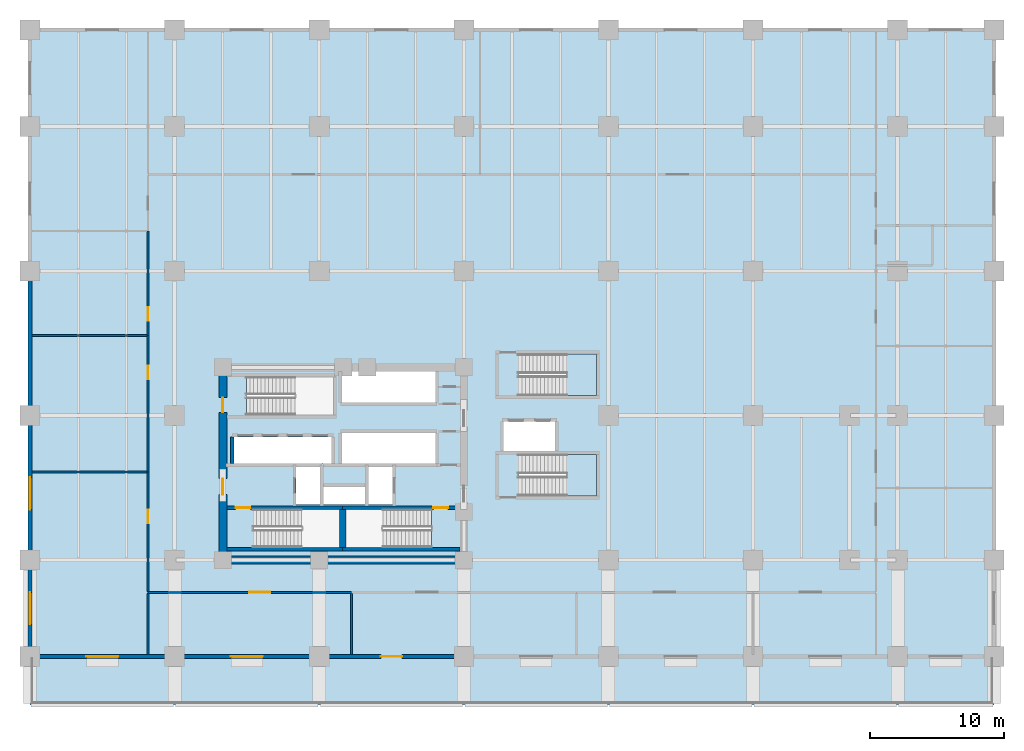
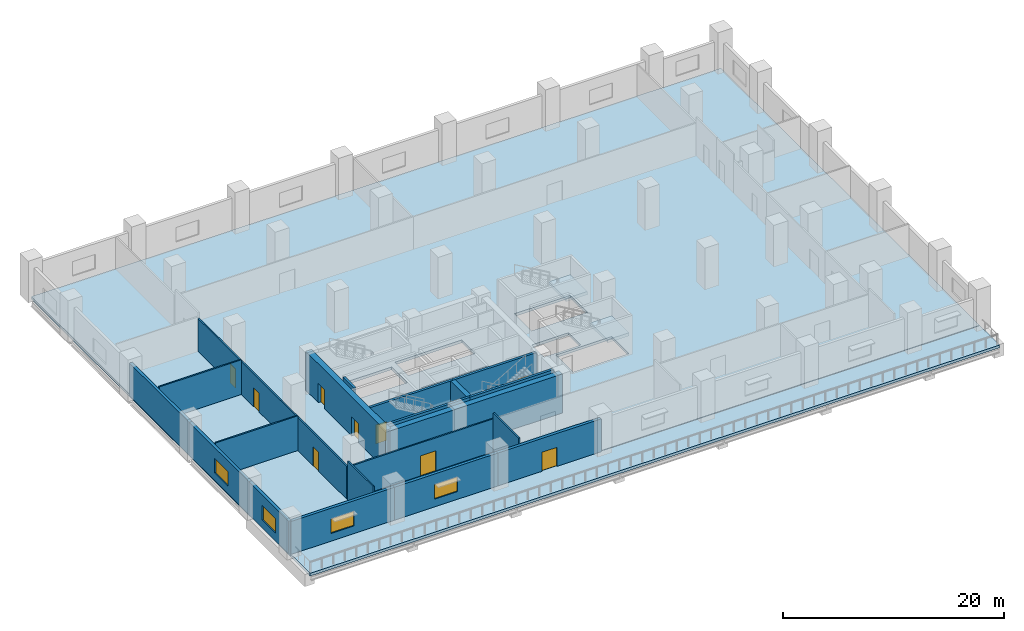
# One storey, part 3 of 11: 22 walls, 9 doors, 4 slabs, 4 windows, 13 openings, 2 elements without a shape of their own.
"""IFC4 building model written with IfcOpenShell, lengths in metres."""

from ifc_helpers import new_model, si_unit, direction, frame, frame_2d, origin, place, context, subcontext, project, spatial, polyline, rectangle, outline, extrude, material, layer, layer_set, type_object, element, fill, aggregate, save


model = new_model("IFC4")

# Units and contexts
model_context = context("Model", 3, precision=1e-05, world=origin(), true_north=direction((0.0, 1.0)))
body_context = subcontext(model_context, "Body", "Model", "MODEL_VIEW")
ifc_project = project(units=[si_unit("LENGTHUNIT", "METRE"), si_unit("AREAUNIT", "SQUARE_METRE"), si_unit("VOLUMEUNIT", "CUBIC_METRE"), si_unit("PLANEANGLEUNIT", "RADIAN"), si_unit("MASSUNIT", "GRAM", prefix="KILO")], contexts=[model_context])

# Site, building, storey
site_placement = place(None, origin())
site = spatial("IfcSite", under=ifc_project, at=site_placement, CompositionType="ELEMENT")
building_placement = place(site_placement, origin())
building = spatial("IfcBuilding", under=site, at=building_placement, Name="Solnavia Interchange Tower", CompositionType="ELEMENT")
storey_placement = place(building_placement, frame((0.0, 0.0, 14.800048828125)))
storey = spatial("IfcBuildingStorey", under=building, at=storey_placement, Name="L03", CompositionType="ELEMENT", Elevation=14.800048828125)

# Slabs
ifc_material_1 = material(Name="Concrete C40/50", Category="concrete")
ifc_layer_1 = layer(ifc_material_1, 0.300048828125)
ifc_layer_set_1 = layer_set([ifc_layer_1], Name="Concrete C40/50")
slab_type_1 = type_object("IfcSlabType", Name="Slab-Podium-300", PredefinedType="FLOOR", material=ifc_layer_set_1)
slab_1_placement = place(storey_placement, frame((0.0, 0.0, -0.300048828125)))
element("IfcSlab", 1, at=slab_1_placement, inside=storey, type_object=slab_type_1, Name="SLB-L03-01 Structural floor slab", PredefinedType="FLOOR", context=body_context, shape_type="SweptSolid", body=[
    extrude(outline(polyline([(0.0, 3.60009765625), (72.0, 3.60009765625), (72.0, 50.39990234375), (0.0, 50.39990234375), (0.0, 3.60009765625)]), holes=[polyline([(16.675048828125, 11.75), (23.10009765625, 11.75), (23.10009765625, 14.590087890625), (16.675048828125, 14.590087890625), (16.675048828125, 11.75)]), polyline([(23.60009765625, 11.75), (29.97509765625, 11.75), (29.97509765625, 14.590087890625), (23.60009765625, 14.590087890625), (23.60009765625, 11.75)]), polyline([(16.175048828125, 21.64990234375), (22.64990234375, 21.64990234375), (22.64990234375, 24.489990234375), (16.175048828125, 24.489990234375), (16.175048828125, 21.64990234375)]), polyline([(36.47509765625, 15.60009765625), (42.300048828125, 15.60009765625), (42.300048828125, 18.699951171875), (36.47509765625, 18.699951171875), (36.47509765625, 15.60009765625)]), polyline([(36.47509765625, 23.10009765625), (42.300048828125, 23.10009765625), (42.300048828125, 26.199951171875), (36.47509765625, 26.199951171875), (36.47509765625, 23.10009765625)]), polyline([(19.8798828125, 14.9599609375), (21.679931640625, 14.9599609375), (21.679931640625, 17.780029296875), (19.8798828125, 17.780029296875), (19.8798828125, 14.9599609375)]), polyline([(25.280029296875, 14.9599609375), (27.080078125, 14.9599609375), (27.080078125, 17.780029296875), (25.280029296875, 17.780029296875), (25.280029296875, 14.9599609375)]), polyline([(21.919921875, 14.9599609375), (25.02001953125, 14.9599609375), (25.02001953125, 16.280029296875), (21.919921875, 16.280029296875), (21.919921875, 14.9599609375)]), polyline([(15.219970703125, 18.02001953125), (22.52001953125, 18.02001953125), (22.52001953125, 20.0), (15.219970703125, 20.0), (15.219970703125, 18.02001953125)]), polyline([(23.300048828125, 18.02001953125), (30.280029296875, 18.02001953125), (30.280029296875, 20.300048828125), (23.300048828125, 20.300048828125), (23.300048828125, 18.02001953125)]), polyline([(23.300048828125, 22.580078125), (30.280029296875, 22.580078125), (30.280029296875, 25.0), (23.300048828125, 25.0), (23.300048828125, 22.580078125)]), polyline([(35.3798828125, 18.949951171875), (39.219970703125, 18.949951171875), (39.219970703125, 21.159912109375), (35.3798828125, 21.159912109375), (35.3798828125, 18.949951171875)])]), origin(), (0.0, 0.0, 1.0), 0.300048828125),
])
ifc_layer_2 = layer(ifc_material_1, 0.300048828125)
ifc_layer_set_2 = layer_set([ifc_layer_2], Name="Concrete C40/50")
slab_type_2 = type_object("IfcSlabType", Name="Slab-Roof-300", PredefinedType="ROOF", material=ifc_layer_set_2)
slab_2_placement = place(storey_placement, frame((0.0, 0.0, -0.300048828125)))
element("IfcSlab", 2, at=slab_2_placement, inside=storey, type_object=slab_type_2, Name="ROF-L03-01 Podium south terrace roof slab", PredefinedType="ROOF", context=body_context, shape_type="SweptSolid", body=[
    extrude(outline(polyline([(0.0, 0.0), (72.0, 0.0), (72.0, 3.56005859375), (0.0, 3.56005859375), (0.0, 0.0)])), origin(), (0.0, 0.0, 1.0), 0.300048828125),
])

# Stair, slab
stair_type = type_object("IfcStairType", Name="Stair-Dogleg-RC", PredefinedType="HALF_TURN_STAIR", material=ifc_material_1)
stair_1_placement = place(storey_placement, origin())
stair_1 = element("IfcStair", 3, at=stair_1_placement, inside=storey, type_object=stair_type, Name="L03 Podium exit stair 1", PredefinedType="HALF_TURN_STAIR")
ifc_layer_3 = layer(ifc_material_1, 0.35009765625)
ifc_layer_set_3 = layer_set([ifc_layer_3], Name="Concrete C40/50")
slab_type_3 = type_object("IfcSlabType", Name="Slab-StairLanding-350", PredefinedType="LANDING", material=ifc_layer_set_3)
slab_3_placement = place(storey_placement, frame((0.0, 0.0, 1.949951171875)))
slab_3 = element("IfcSlab", 4, at=slab_3_placement, type_object=slab_type_3, Name="ST-P1 landing 1", PredefinedType="LANDING", context=body_context, shape_type="SweptSolid", body=[
    extrude(outline(polyline([(40.068115234375, 15.60009765625), (42.300048828125, 15.60009765625), (42.300048828125, 18.699951171875), (40.068115234375, 18.699951171875), (40.068115234375, 15.60009765625)])), origin(), (0.0, 0.0, 1.0), 0.35009765625),
])
aggregate(stair_1, [slab_3])

stair_2_placement = place(storey_placement, origin())
stair_2 = element("IfcStair", 5, at=stair_2_placement, inside=storey, type_object=stair_type, Name="L03 Podium exit stair 2", PredefinedType="HALF_TURN_STAIR")
slab_4_placement = place(storey_placement, frame((0.0, 0.0, 1.949951171875)))
slab_4 = element("IfcSlab", 6, at=slab_4_placement, type_object=slab_type_3, Name="ST-P2 landing 1", PredefinedType="LANDING", context=body_context, shape_type="SweptSolid", body=[
    extrude(outline(polyline([(40.068115234375, 23.10009765625), (42.300048828125, 23.10009765625), (42.300048828125, 26.199951171875), (40.068115234375, 26.199951171875), (40.068115234375, 23.10009765625)])), origin(), (0.0, 0.0, 1.0), 0.35009765625),
])
aggregate(stair_2, [slab_4])

# Wall, opening, window
ifc_layer_4 = layer(ifc_material_1, 0.300048828125)
ifc_layer_set_4 = layer_set([ifc_layer_4], Name="Concrete C40/50")
wall_type_1 = type_object("IfcWallType", Name="Wall-ExtSpandrel-300", PredefinedType="STANDARD", material=ifc_layer_set_4)
wall_1_placement = place(storey_placement, frame((10.800048828125, 3.60009765625, 0.0), z_axis=(0.0, 0.0, 1.0), x_axis=(-1.0, 0.0, 0.0)))
wall_1 = element("IfcWall", 7, at=wall_1_placement, inside=storey, type_object=wall_type_1, Name="EXW-L03-S01 South podium wall", PredefinedType="STANDARD", context=body_context, shape_type="SweptSolid", body=[
    extrude(rectangle(XDim=10.800048828125, YDim=0.300048828125, at=frame_2d((5.39990234375, 0.0))), origin(), (0.0, 0.0, 1.0), 3.6298828125),
])
opening_1_placement = place(wall_1_placement, frame((4.199951171875, 0.0, 0.85009765625)))
opening_1 = element("IfcOpeningElement", 8, at=opening_1_placement, cuts=wall_1, Name="Opening WIN-06", PredefinedType="OPENING", context=body_context, shape_type="SweptSolid", body=[
    extrude(rectangle(XDim=2.39990234375, YDim=1.60009765625, at=frame_2d((1.199951171875, 0.800048828125))), frame((0.0, 0.16015625, 0.0), z_axis=(0.0, -1.0, 0.0), x_axis=(1.0, 0.0, 0.0)), (0.0, 0.0, 1.0), 0.320068359375),
])
ifc_material_2 = material(Name="Thermal-Break Aluminium & Low-E Glass", Category="aluminium")
window_type = type_object("IfcWindowType", Name="Window-Podium-2400x1600", PartitioningType="SINGLE_PANEL", PredefinedType="WINDOW", material=ifc_material_2)
window_1_placement = place(opening_1_placement, origin())
window_1 = element("IfcWindow", 9, at=window_1_placement, inside=storey, type_object=window_type, Name="WIN-L03-S01 South podium window", OverallHeight=1.60009765625, OverallWidth=2.39990234375, PartitioningType="SINGLE_PANEL", PredefinedType="WINDOW", context=body_context, shape_type="SweptSolid", body=[
    extrude(rectangle(XDim=2.39990234375, YDim=1.60009765625, at=frame_2d((1.199951171875, 0.800048828125))), frame((0.0, 0.030029296875, 0.0), z_axis=(0.0, -1.0, 0.0), x_axis=(1.0, 0.0, 0.0)), (0.0, 0.0, 1.0), 0.06005859375),
])
fill(opening_1, window_1)

wall_2_placement = place(storey_placement, frame((21.60009765625, 3.60009765625, 0.0), z_axis=(0.0, 0.0, 1.0), x_axis=(-1.0, 0.0, 0.0)))
wall_2 = element("IfcWall", 10, at=wall_2_placement, inside=storey, type_object=wall_type_1, Name="EXW-L03-S02 South podium wall", PredefinedType="STANDARD", context=body_context, shape_type="SweptSolid", body=[
    extrude(rectangle(XDim=10.800048828125, YDim=0.300048828125, at=frame_2d((5.39990234375, 0.0))), origin(), (0.0, 0.0, 1.0), 3.6298828125),
])
opening_2_placement = place(wall_2_placement, frame((4.199951171875, 0.0, 0.85009765625)))
opening_2 = element("IfcOpeningElement", 11, at=opening_2_placement, cuts=wall_2, Name="Opening WIN-06", PredefinedType="OPENING", context=body_context, shape_type="SweptSolid", body=[
    extrude(rectangle(XDim=2.39990234375, YDim=1.60009765625, at=frame_2d((1.199951171875, 0.800048828125))), frame((0.0, 0.16015625, 0.0), z_axis=(0.0, -1.0, 0.0), x_axis=(1.0, 0.0, 0.0)), (0.0, 0.0, 1.0), 0.320068359375),
])
window_2_placement = place(opening_2_placement, origin())
window_2 = element("IfcWindow", 12, at=window_2_placement, inside=storey, type_object=window_type, Name="WIN-L03-S02 South podium window", OverallHeight=1.60009765625, OverallWidth=2.39990234375, PartitioningType="SINGLE_PANEL", PredefinedType="WINDOW", context=body_context, shape_type="SweptSolid", body=[
    extrude(rectangle(XDim=2.39990234375, YDim=1.60009765625, at=frame_2d((1.199951171875, 0.800048828125))), frame((0.0, 0.030029296875, 0.0), z_axis=(0.0, -1.0, 0.0), x_axis=(1.0, 0.0, 0.0)), (0.0, 0.0, 1.0), 0.06005859375),
])
fill(opening_2, window_2)

# Wall, opening, door
wall_3_placement = place(storey_placement, frame((32.39990234375, 3.60009765625, 0.0), z_axis=(0.0, 0.0, 1.0), x_axis=(-1.0, 0.0, 0.0)))
wall_3 = element("IfcWall", 13, at=wall_3_placement, inside=storey, type_object=wall_type_1, Name="EXW-L03-S03 South podium wall", PredefinedType="STANDARD", context=body_context, shape_type="SweptSolid", body=[
    extrude(rectangle(XDim=10.7998046875, YDim=0.300048828125, at=frame_2d((5.39990234375, 0.0))), origin(), (0.0, 0.0, 1.0), 3.6298828125),
])
opening_3_placement = place(wall_3_placement, frame((4.60009765625, 0.0, 0.0)))
opening_3 = element("IfcOpeningElement", 14, at=opening_3_placement, cuts=wall_3, Name="Opening EXD-04", PredefinedType="OPENING", context=body_context, shape_type="SweptSolid", body=[
    extrude(rectangle(XDim=1.60009765625, YDim=2.10009765625, at=frame_2d((0.800048828125, 1.050048828125))), frame((0.0, 0.16015625, 0.0), z_axis=(0.0, -1.0, 0.0), x_axis=(1.0, 0.0, 0.0)), (0.0, 0.0, 1.0), 0.320068359375),
])
ifc_material_3 = material(Name="Thermally Broken Aluminium & Laminated Glass", Category="aluminium")
door_type_1 = type_object("IfcDoorType", Name="Door-TerraceGlazed-1600x2100", OperationType="DOUBLE_DOOR_SINGLE_SWING", PredefinedType="DOOR", material=ifc_material_3)
door_1_placement = place(opening_3_placement, origin())
door_1 = element("IfcDoor", 15, at=door_1_placement, inside=storey, type_object=door_type_1, Name="EXD-L03-TER1 South podium terrace door", OperationType="SINGLE_SWING_LEFT", OverallHeight=2.10009765625, OverallWidth=1.60009765625, PredefinedType="DOOR", context=body_context, shape_type="SweptSolid", body=[
    extrude(rectangle(XDim=1.60009765625, YDim=2.10009765625, at=frame_2d((0.800048828125, 1.050048828125))), frame((0.0, 0.02490234375, 0.0), z_axis=(0.0, -1.0, 0.0), x_axis=(1.0, 0.0, 0.0)), (0.0, 0.0, 1.0), 0.050048828125),
])
fill(opening_3, door_1)

# Wall, opening, window
wall_4_placement = place(storey_placement, frame((0.0, 3.60009765625, 0.0), z_axis=(0.0, 0.0, 1.0), x_axis=(0.0, 1.0, 0.0)))
wall_4 = element("IfcWall", 16, at=wall_4_placement, inside=storey, type_object=wall_type_1, Name="EXW-L03-W01 West podium wall", PredefinedType="STANDARD", context=body_context, shape_type="SweptSolid", body=[
    extrude(rectangle(XDim=7.199951171875, YDim=0.300048828125, at=frame_2d((3.60009765625, 0.0))), origin(), (0.0, 0.0, 1.0), 3.6298828125),
])
opening_4_placement = place(wall_4_placement, frame((2.39990234375, 0.0, 0.85009765625)))
opening_4 = element("IfcOpeningElement", 17, at=opening_4_placement, cuts=wall_4, Name="Opening WIN-06", PredefinedType="OPENING", context=body_context, shape_type="SweptSolid", body=[
    extrude(rectangle(XDim=2.39990234375, YDim=1.60009765625, at=frame_2d((1.199951171875, 0.800048828125))), frame((0.0, 0.16015625, 0.0), z_axis=(0.0, -1.0, 0.0), x_axis=(1.0, 0.0, 0.0)), (0.0, 0.0, 1.0), 0.320068359375),
])
window_3_placement = place(opening_4_placement, origin())
window_3 = element("IfcWindow", 18, at=window_3_placement, inside=storey, type_object=window_type, Name="WIN-L03-W01 West podium window", OverallHeight=1.60009765625, OverallWidth=2.39990234375, PartitioningType="SINGLE_PANEL", PredefinedType="WINDOW", context=body_context, shape_type="SweptSolid", body=[
    extrude(rectangle(XDim=2.39990234375, YDim=1.60009765625, at=frame_2d((1.199951171875, 0.800048828125))), frame((0.0, 0.030029296875, 0.0), z_axis=(0.0, -1.0, 0.0), x_axis=(1.0, 0.0, 0.0)), (0.0, 0.0, 1.0), 0.06005859375),
])
fill(opening_4, window_3)

wall_5_placement = place(storey_placement, frame((0.0, 10.800048828125, 0.0), z_axis=(0.0, 0.0, 1.0), x_axis=(0.0, 1.0, 0.0)))
wall_5 = element("IfcWall", 19, at=wall_5_placement, inside=storey, type_object=wall_type_1, Name="EXW-L03-W02 West podium wall", PredefinedType="STANDARD", context=body_context, shape_type="SweptSolid", body=[
    extrude(rectangle(XDim=10.800048828125, YDim=0.300048828125, at=frame_2d((5.39990234375, 0.0))), origin(), (0.0, 0.0, 1.0), 3.6298828125),
])
opening_5_placement = place(wall_5_placement, frame((3.780029296875, 0.0, 0.85009765625)))
opening_5 = element("IfcOpeningElement", 20, at=opening_5_placement, cuts=wall_5, Name="Opening WIN-06", PredefinedType="OPENING", context=body_context, shape_type="SweptSolid", body=[
    extrude(rectangle(XDim=2.39990234375, YDim=1.60009765625, at=frame_2d((1.199951171875, 0.800048828125))), frame((0.0, 0.16015625, 0.0), z_axis=(0.0, -1.0, 0.0), x_axis=(1.0, 0.0, 0.0)), (0.0, 0.0, 1.0), 0.320068359375),
])
window_4_placement = place(opening_5_placement, origin())
window_4 = element("IfcWindow", 21, at=window_4_placement, inside=storey, type_object=window_type, Name="WIN-L03-W02 West podium window", OverallHeight=1.60009765625, OverallWidth=2.39990234375, PartitioningType="SINGLE_PANEL", PredefinedType="WINDOW", context=body_context, shape_type="SweptSolid", body=[
    extrude(rectangle(XDim=2.39990234375, YDim=1.60009765625, at=frame_2d((1.199951171875, 0.800048828125))), frame((0.0, 0.030029296875, 0.0), z_axis=(0.0, -1.0, 0.0), x_axis=(1.0, 0.0, 0.0)), (0.0, 0.0, 1.0), 0.06005859375),
])
fill(opening_5, window_4)

# Wall
wall_6_placement = place(storey_placement, frame((0.0, 21.60009765625, 0.0), z_axis=(0.0, 0.0, 1.0), x_axis=(0.0, 1.0, 0.0)))
element("IfcWall", 22, at=wall_6_placement, inside=storey, type_object=wall_type_1, Name="EXW-L03-W03 West podium wall", PredefinedType="STANDARD", context=body_context, shape_type="SweptSolid", body=[
    extrude(rectangle(XDim=10.7998046875, YDim=0.300048828125, at=frame_2d((5.39990234375, 0.0))), origin(), (0.0, 0.0, 1.0), 3.6298828125),
])

# Wall, opening, door
ifc_material_4 = material(Name="Gypsum Plasterboard & Steel Stud", Category="steel")
ifc_layer_5 = layer(ifc_material_4, 0.14990234375)
ifc_layer_set_5 = layer_set([ifc_layer_5], Name="Gypsum Plasterboard & Steel Stud")
wall_type_2 = type_object("IfcWallType", Name="Wall-Partition-150", PredefinedType="PARTITIONING", material=ifc_layer_set_5)
wall_7_placement = place(storey_placement, frame((8.800048828125, 8.39990234375, 0.0), z_axis=(0.0, 0.0, 1.0), x_axis=(1.0, 0.0, 0.0)))
wall_7 = element("IfcWall", 23, at=wall_7_placement, inside=storey, type_object=wall_type_2, Name="PTW-L03-01 Interior partition wall", PredefinedType="PARTITIONING", context=body_context, shape_type="SweptSolid", body=[
    extrude(rectangle(XDim=15.199951171875, YDim=0.14990234375, at=frame_2d((7.60009765625, 0.0))), origin(), (0.0, 0.0, 1.0), 3.6298828125),
])
opening_6_placement = place(wall_7_placement, frame((7.55810546875, 0.0, 0.0)))
opening_6 = element("IfcOpeningElement", 24, at=opening_6_placement, cuts=wall_7, Name="Opening DR-08", PredefinedType="OPENING", context=body_context, shape_type="SweptSolid", body=[
    extrude(rectangle(XDim=1.60009765625, YDim=2.199951171875, at=frame_2d((0.800048828125, 1.10009765625))), frame((0.0, 0.0849609375, 0.0), z_axis=(0.0, -1.0, 0.0), x_axis=(1.0, 0.0, 0.0)), (0.0, 0.0, 1.0), 0.169921875),
])
ifc_material_5 = material(Name="Thermally Broken Aluminium & Toughened Glass", Category="aluminium")
door_type_2 = type_object("IfcDoorType", Name="Door-RetailDouble-1600x2200", OperationType="DOUBLE_DOOR_SINGLE_SWING", PredefinedType="DOOR", material=ifc_material_5)
door_2_placement = place(opening_6_placement, origin())
door_2 = element("IfcDoor", 25, at=door_2_placement, inside=storey, type_object=door_type_2, Name="DR-L03-01 Interior room door", OperationType="DOUBLE_DOOR_SINGLE_SWING", OverallHeight=2.199951171875, OverallWidth=1.60009765625, PredefinedType="DOOR", context=body_context, shape_type="SweptSolid", body=[
    extrude(rectangle(XDim=1.60009765625, YDim=2.199951171875, at=frame_2d((0.800048828125, 1.10009765625))), frame((0.0, 0.02490234375, 0.0), z_axis=(0.0, -1.0, 0.0), x_axis=(1.0, 0.0, 0.0)), (0.0, 0.0, 1.0), 0.050048828125),
])
fill(opening_6, door_2)

# Walls
for number, where, z_axis, x_axis, name in (
    (26, (24.0, 3.75390625, 0.0), (0.0, 0.0, 1.0), (0.0, 1.0, 0.0), "PTW-L03-02 Interior partition wall"),
    (27, (8.800048828125, 3.75390625, 0.0), (0.0, 0.0, 1.0), (0.0, 1.0, 0.0), "PTW-L03-11 Interior partition wall"),
):
    element("IfcWall", number, at=place(storey_placement, frame(where, z_axis=z_axis, x_axis=x_axis)), inside=storey, type_object=wall_type_2, Name=name, PredefinedType="PARTITIONING", context=body_context, shape_type="SweptSolid", body=[
        extrude(rectangle(XDim=4.567138671875, YDim=0.14990234375, at=frame_2d((2.28369140625, 0.0))), origin(), (0.0, 0.0, 1.0), 4.284912109375),
    ])

# Wall, opening, door
wall_8_placement = place(storey_placement, frame((8.800048828125, 8.47900390625, 0.0), z_axis=(0.0, 0.0, 1.0), x_axis=(0.0, 1.0, 0.0)))
wall_8 = element("IfcWall", 28, at=wall_8_placement, inside=storey, type_object=wall_type_2, Name="PTW-L03-12 Interior partition wall", PredefinedType="PARTITIONING", context=body_context, shape_type="SweptSolid", body=[
    extrude(rectangle(XDim=8.9208984375, YDim=0.14990234375, at=frame_2d((4.46044921875, 0.0))), origin(), (0.0, 0.0, 1.0), 3.6298828125),
])
opening_7_placement = place(wall_8_placement, frame((5.074951171875, 0.0, 0.0)))
opening_7 = element("IfcOpeningElement", 29, at=opening_7_placement, cuts=wall_8, Name="Opening DR-07", PredefinedType="OPENING", context=body_context, shape_type="SweptSolid", body=[
    extrude(rectangle(XDim=1.0, YDim=2.10009765625, at=frame_2d((0.5, 1.050048828125))), frame((0.0, 0.0849609375, 0.0), z_axis=(0.0, -1.0, 0.0), x_axis=(1.0, 0.0, 0.0)), (0.0, 0.0, 1.0), 0.169921875),
])
ifc_material_6 = material(Name="Timber & Acoustic Glazed Office Door", Category="wood")
door_type_3 = type_object("IfcDoorType", Name="Door-Office-1000x2100", OperationType="SINGLE_SWING_RIGHT", PredefinedType="DOOR", material=ifc_material_6)
door_3_placement = place(opening_7_placement, origin())
door_3 = element("IfcDoor", 30, at=door_3_placement, inside=storey, type_object=door_type_3, Name="DR-L03-07 Interior room door", OperationType="SINGLE_SWING_RIGHT", OverallHeight=2.10009765625, OverallWidth=1.0, PredefinedType="DOOR", context=body_context, shape_type="SweptSolid", body=[
    extrude(rectangle(XDim=1.0, YDim=2.10009765625, at=frame_2d((0.5, 1.050048828125))), frame((0.0, 0.02490234375, 0.0), z_axis=(0.0, -1.0, 0.0), x_axis=(1.0, 0.0, 0.0)), (0.0, 0.0, 1.0), 0.050048828125),
])
fill(opening_7, door_3)

# Wall
wall_9_placement = place(storey_placement, frame((0.154052734375, 17.39990234375, 0.0), z_axis=(0.0, 0.0, 1.0), x_axis=(1.0, 0.0, 0.0)))
element("IfcWall", 31, at=wall_9_placement, inside=storey, type_object=wall_type_2, Name="PTW-L03-13 Interior partition wall", PredefinedType="PARTITIONING", context=body_context, shape_type="SweptSolid", body=[
    extrude(rectangle(XDim=8.56689453125, YDim=0.14990234375, at=frame_2d((4.283447265625, 0.0))), origin(), (0.0, 0.0, 1.0), 3.829833984375),
])

# Wall, opening, door
wall_10_placement = place(storey_placement, frame((8.800048828125, 17.39990234375, 0.0), z_axis=(0.0, 0.0, 1.0), x_axis=(0.0, 1.0, 0.0)))
wall_10 = element("IfcWall", 32, at=wall_10_placement, inside=storey, type_object=wall_type_2, Name="PTW-L03-14 Interior partition wall", PredefinedType="PARTITIONING", context=body_context, shape_type="SweptSolid", body=[
    extrude(rectangle(XDim=10.2001953125, YDim=0.14990234375, at=frame_2d((5.10009765625, 0.0))), origin(), (0.0, 0.0, 1.0), 3.6298828125),
])
opening_8_placement = place(wall_10_placement, frame((6.908935546875, 0.0, 0.0)))
opening_8 = element("IfcOpeningElement", 33, at=opening_8_placement, cuts=wall_10, Name="Opening DR-07", PredefinedType="OPENING", context=body_context, shape_type="SweptSolid", body=[
    extrude(rectangle(XDim=1.0, YDim=2.10009765625, at=frame_2d((0.5, 1.050048828125))), frame((0.0, 0.0849609375, 0.0), z_axis=(0.0, -1.0, 0.0), x_axis=(1.0, 0.0, 0.0)), (0.0, 0.0, 1.0), 0.169921875),
])
door_4_placement = place(opening_8_placement, origin())
door_4 = element("IfcDoor", 34, at=door_4_placement, inside=storey, type_object=door_type_3, Name="DR-L03-08 Interior room door", OperationType="SINGLE_SWING_RIGHT", OverallHeight=2.10009765625, OverallWidth=1.0, PredefinedType="DOOR", context=body_context, shape_type="SweptSolid", body=[
    extrude(rectangle(XDim=1.0, YDim=2.10009765625, at=frame_2d((0.5, 1.050048828125))), frame((0.0, 0.02490234375, 0.0), z_axis=(0.0, -1.0, 0.0), x_axis=(1.0, 0.0, 0.0)), (0.0, 0.0, 1.0), 0.050048828125),
])
fill(opening_8, door_4)

# Wall
wall_11_placement = place(storey_placement, frame((0.154052734375, 27.60009765625, 0.0), z_axis=(0.0, 0.0, 1.0), x_axis=(1.0, 0.0, 0.0)))
element("IfcWall", 35, at=wall_11_placement, inside=storey, type_object=wall_type_2, Name="PTW-L03-15 Interior partition wall", PredefinedType="PARTITIONING", context=body_context, shape_type="SweptSolid", body=[
    extrude(rectangle(XDim=8.56689453125, YDim=0.14990234375, at=frame_2d((4.283447265625, 0.0))), origin(), (0.0, 0.0, 1.0), 3.829833984375),
])

# Wall, opening, door
wall_12_placement = place(storey_placement, frame((8.800048828125, 27.60009765625, 0.0), z_axis=(0.0, 0.0, 1.0), x_axis=(0.0, 1.0, 0.0)))
wall_12 = element("IfcWall", 36, at=wall_12_placement, inside=storey, type_object=wall_type_2, Name="PTW-L03-16 Interior partition wall", PredefinedType="PARTITIONING", context=body_context, shape_type="SweptSolid", body=[
    extrude(rectangle(XDim=7.7998046875, YDim=0.14990234375, at=frame_2d((3.89990234375, 0.0))), origin(), (0.0, 0.0, 1.0), 3.6298828125),
])
opening_9_placement = place(wall_12_placement, frame((1.094970703125, 0.0, 0.0)))
opening_9 = element("IfcOpeningElement", 37, at=opening_9_placement, cuts=wall_12, Name="Opening DR-07", PredefinedType="OPENING", context=body_context, shape_type="SweptSolid", body=[
    extrude(rectangle(XDim=1.0, YDim=2.10009765625, at=frame_2d((0.5, 1.050048828125))), frame((0.0, 0.0849609375, 0.0), z_axis=(0.0, -1.0, 0.0), x_axis=(1.0, 0.0, 0.0)), (0.0, 0.0, 1.0), 0.169921875),
])
door_5_placement = place(opening_9_placement, origin())
door_5 = element("IfcDoor", 38, at=door_5_placement, inside=storey, type_object=door_type_3, Name="DR-L03-09 Interior room door", OperationType="SINGLE_SWING_RIGHT", OverallHeight=2.10009765625, OverallWidth=1.0, PredefinedType="DOOR", context=body_context, shape_type="SweptSolid", body=[
    extrude(rectangle(XDim=1.0, YDim=2.10009765625, at=frame_2d((0.5, 1.050048828125))), frame((0.0, 0.02490234375, 0.0), z_axis=(0.0, -1.0, 0.0), x_axis=(1.0, 0.0, 0.0)), (0.0, 0.0, 1.0), 0.050048828125),
])
fill(opening_9, door_5)

# Wall
ifc_layer_6 = layer(ifc_material_1, 0.25)
ifc_layer_set_6 = layer_set([ifc_layer_6], Name="Concrete C40/50")
wall_type_3 = type_object("IfcWallType", Name="Wall-ShaftCore-250", PredefinedType="SHEAR", material=ifc_layer_set_6)
wall_13_placement = place(storey_placement, frame((14.699951171875, 11.625, 0.0), z_axis=(0.0, 0.0, 1.0), x_axis=(1.0, 0.0, 0.0)))
element("IfcWall", 39, at=wall_13_placement, inside=storey, type_object=wall_type_3, Name="SHW-L03-ST1S Core shear wall", PredefinedType="SHEAR", context=body_context, shape_type="SweptSolid", body=[
    extrude(rectangle(XDim=8.650146484375, YDim=0.25, at=frame_2d((4.3251953125, 0.0))), origin(), (0.0, 0.0, 1.0), 4.300048828125),
])

# Wall, opening, door
wall_14_placement = place(storey_placement, frame((14.699951171875, 14.715087890625, 0.0), z_axis=(0.0, 0.0, 1.0), x_axis=(1.0, 0.0, 0.0)))
wall_14 = element("IfcWall", 40, at=wall_14_placement, inside=storey, type_object=wall_type_3, Name="SHW-L03-ST1N Core shear wall", PredefinedType="SHEAR", context=body_context, shape_type="SweptSolid", body=[
    extrude(rectangle(XDim=8.650146484375, YDim=0.25, at=frame_2d((4.3251953125, 0.0))), origin(), (0.0, 0.0, 1.0), 4.300048828125),
])
opening_10_placement = place(wall_14_placement, frame((0.655029296875, 0.0, 0.0)))
opening_10 = element("IfcOpeningElement", 41, at=opening_10_placement, cuts=wall_14, Name="Opening DR-01", PredefinedType="OPENING", context=body_context, shape_type="SweptSolid", body=[
    extrude(rectangle(XDim=1.10009765625, YDim=2.10009765625, at=frame_2d((0.550048828125, 1.050048828125))), frame((0.0, 0.135009765625, 0.0), z_axis=(0.0, -1.0, 0.0), x_axis=(1.0, 0.0, 0.0)), (0.0, 0.0, 1.0), 0.27001953125),
])
ifc_material_7 = material(Name="Steel Fire-Rated Leaf & Frame", Category="steel")
door_type_4 = type_object("IfcDoorType", Name="Door-StairFire-1100x2100", OperationType="SINGLE_SWING_LEFT", PredefinedType="DOOR", material=ifc_material_7)
door_6_placement = place(opening_10_placement, origin())
door_6 = element("IfcDoor", 42, at=door_6_placement, inside=storey, type_object=door_type_4, Name="DR-L03-ST1 Core fire door", OperationType="SINGLE_SWING_LEFT", OverallHeight=2.10009765625, OverallWidth=1.10009765625, PredefinedType="DOOR", context=body_context, shape_type="SweptSolid", body=[
    extrude(rectangle(XDim=1.10009765625, YDim=2.10009765625, at=frame_2d((0.550048828125, 1.050048828125))), frame((0.0, 0.02490234375, 0.0), z_axis=(0.0, -1.0, 0.0), x_axis=(1.0, 0.0, 0.0)), (0.0, 0.0, 1.0), 0.050048828125),
])
fill(opening_10, door_6)

# Wall
wall_15_placement = place(storey_placement, frame((23.35009765625, 11.625, 0.0), z_axis=(0.0, 0.0, 1.0), x_axis=(1.0, 0.0, 0.0)))
element("IfcWall", 43, at=wall_15_placement, inside=storey, type_object=wall_type_3, Name="SHW-L03-ST2S Core shear wall", PredefinedType="SHEAR", context=body_context, shape_type="SweptSolid", body=[
    extrude(rectangle(XDim=8.75, YDim=0.25, at=frame_2d((4.375, 0.0))), origin(), (0.0, 0.0, 1.0), 4.300048828125),
])

# Wall, opening, door
wall_16_placement = place(storey_placement, frame((23.35009765625, 14.715087890625, 0.0), z_axis=(0.0, 0.0, 1.0), x_axis=(1.0, 0.0, 0.0)))
wall_16 = element("IfcWall", 44, at=wall_16_placement, inside=storey, type_object=wall_type_3, Name="SHW-L03-ST2N Core shear wall", PredefinedType="SHEAR", context=body_context, shape_type="SweptSolid", body=[
    extrude(rectangle(XDim=8.75, YDim=0.25, at=frame_2d((4.375, 0.0))), origin(), (0.0, 0.0, 1.0), 4.300048828125),
])
opening_11_placement = place(wall_16_placement, frame((6.77490234375, 0.0, 0.0)))
opening_11 = element("IfcOpeningElement", 45, at=opening_11_placement, cuts=wall_16, Name="Opening DR-01", PredefinedType="OPENING", context=body_context, shape_type="SweptSolid", body=[
    extrude(rectangle(XDim=1.10009765625, YDim=2.10009765625, at=frame_2d((0.550048828125, 1.050048828125))), frame((0.0, 0.135009765625, 0.0), z_axis=(0.0, -1.0, 0.0), x_axis=(1.0, 0.0, 0.0)), (0.0, 0.0, 1.0), 0.27001953125),
])
door_7_placement = place(opening_11_placement, origin())
door_7 = element("IfcDoor", 46, at=door_7_placement, inside=storey, type_object=door_type_4, Name="DR-L03-ST2 Core fire door", OperationType="SINGLE_SWING_LEFT", OverallHeight=2.10009765625, OverallWidth=1.10009765625, PredefinedType="DOOR", context=body_context, shape_type="SweptSolid", body=[
    extrude(rectangle(XDim=1.10009765625, YDim=2.10009765625, at=frame_2d((0.550048828125, 1.050048828125))), frame((0.0, 0.02490234375, 0.0), z_axis=(0.0, -1.0, 0.0), x_axis=(1.0, 0.0, 0.0)), (0.0, 0.0, 1.0), 0.050048828125),
])
fill(opening_11, door_7)

# Walls
ifc_layer_7 = layer(ifc_material_1, 0.25)
ifc_layer_set_7 = layer_set([ifc_layer_7], Name="Concrete C40/50")
wall_type_4 = type_object("IfcWallType", Name="Wall-ShaftPart-250", PredefinedType="PARTITIONING", material=ifc_layer_set_7)
wall_17_placement = place(storey_placement, frame((15.10009765625, 18.02490234375, 0.0), z_axis=(0.0, 0.0, 1.0), x_axis=(0.0, 1.0, 0.0)))
element("IfcWall", 47, at=wall_17_placement, inside=storey, type_object=wall_type_4, Name="SHW-L03-B1W Core shaft wall", PredefinedType="PARTITIONING", context=body_context, shape_type="SweptSolid", body=[
    extrude(rectangle(XDim=1.97509765625, YDim=0.25, at=frame_2d((0.987548828125, 0.0))), origin(), (0.0, 0.0, 1.0), 4.284912109375),
])
ifc_material_8 = material(Name="Concrete C60/75", Category="concrete")
ifc_layer_8 = layer(ifc_material_8, 0.5)
ifc_layer_set_8 = layer_set([ifc_layer_8], Name="Concrete C60/75")
wall_type_5 = type_object("IfcWallType", Name="Wall-ShearCore-500", PredefinedType="SHEAR", material=ifc_layer_set_8)
wall_18_placement = place(storey_placement, frame((23.35009765625, 11.75, 0.0), z_axis=(0.0, 0.0, 1.0), x_axis=(0.0, 1.0, 0.0)))
element("IfcWall", 48, at=wall_18_placement, inside=storey, type_object=wall_type_5, Name="SHW-L03-ST12M Core shear wall", PredefinedType="SHEAR", context=body_context, shape_type="SweptSolid", body=[
    extrude(rectangle(XDim=2.840087890625, YDim=0.5, at=frame_2d((1.419921875, 0.0))), origin(), (0.0, 0.0, 1.0), 4.300048828125),
])
ifc_layer_9 = layer(ifc_material_8, 0.60009765625)
ifc_layer_set_9 = layer_set([ifc_layer_9], Name="Concrete C60/75")
wall_type_6 = type_object("IfcWallType", Name="Wall-ShearCore-600", PredefinedType="SHEAR", material=ifc_layer_set_9)
wall_19_placement = place(storey_placement, frame((14.39990234375, 10.800048828125, 0.0), z_axis=(0.0, 0.0, 1.0), x_axis=(1.0, 0.0, 0.0)))
element("IfcWall", 49, at=wall_19_placement, inside=storey, type_object=wall_type_6, Name="CRW-L03-S Core shear wall", PredefinedType="SHEAR", context=body_context, shape_type="SweptSolid", body=[
    extrude(rectangle(XDim=18.0, YDim=0.60009765625, at=frame_2d((9.0, 0.0))), origin(), (0.0, 0.0, 1.0), 4.300048828125),
])

# Wall, openings, doors
wall_20_placement = place(storey_placement, frame((14.39990234375, 10.800048828125, 0.0), z_axis=(0.0, 0.0, 1.0), x_axis=(0.0, 1.0, 0.0)))
wall_20 = element("IfcWall", 50, at=wall_20_placement, inside=storey, type_object=wall_type_6, Name="CRW-L03-W Core shear wall", PredefinedType="SHEAR", context=body_context, shape_type="SweptSolid", body=[
    extrude(rectangle(XDim=14.39990234375, YDim=0.60009765625, at=frame_2d((7.199951171875, 0.0))), origin(), (0.0, 0.0, 1.0), 4.300048828125),
])
opening_12_placement = place(wall_20_placement, frame((11.050048828125, 0.0, 0.0)))
opening_12 = element("IfcOpeningElement", 51, at=opening_12_placement, cuts=wall_20, Name="Opening DR-01", PredefinedType="OPENING", context=body_context, shape_type="SweptSolid", body=[
    extrude(rectangle(XDim=1.10009765625, YDim=2.10009765625, at=frame_2d((0.550048828125, 1.050048828125))), frame((0.0, 0.31005859375, 0.0), z_axis=(0.0, -1.0, 0.0), x_axis=(1.0, 0.0, 0.0)), (0.0, 0.0, 1.0), 0.6201171875),
])
opening_13_placement = place(wall_20_placement, frame((4.89990234375, 0.0, 0.0)))
opening_13 = element("IfcOpeningElement", 52, at=opening_13_placement, cuts=wall_20, Name="Opening DR-02", PredefinedType="OPENING", context=body_context, shape_type="SweptSolid", body=[
    extrude(rectangle(XDim=1.199951171875, YDim=2.10009765625, at=frame_2d((0.60009765625, 1.050048828125))), frame((0.0, 0.31005859375, 0.0), z_axis=(0.0, -1.0, 0.0), x_axis=(1.0, 0.0, 0.0)), (0.0, 0.0, 1.0), 0.6201171875),
])
ifc_material_9 = material(Name="Steel Fire-Rated Vision-Panel Door", Category="steel")
door_type_5 = type_object("IfcDoorType", Name="Door-LobbyFire-1200x2100", OperationType="SINGLE_SWING_RIGHT", PredefinedType="DOOR", material=ifc_material_9)
door_8_placement = place(opening_13_placement, origin())
door_8 = element("IfcDoor", 53, at=door_8_placement, inside=storey, type_object=door_type_5, Name="DR-L03-FFL1W Core fire door", OperationType="SINGLE_SWING_RIGHT", OverallHeight=2.10009765625, OverallWidth=1.199951171875, PredefinedType="DOOR", context=body_context, shape_type="SweptSolid", body=[
    extrude(rectangle(XDim=1.199951171875, YDim=2.10009765625, at=frame_2d((0.60009765625, 1.050048828125))), frame((0.0, 0.02490234375, 0.0), z_axis=(0.0, -1.0, 0.0), x_axis=(1.0, 0.0, 0.0)), (0.0, 0.0, 1.0), 0.050048828125),
])
fill(opening_13, door_8)
door_9_placement = place(opening_12_placement, origin())
door_9 = element("IfcDoor", 54, at=door_9_placement, inside=storey, type_object=door_type_4, Name="DR-L03-ST3 Core fire door", OperationType="SINGLE_SWING_RIGHT", OverallHeight=2.10009765625, OverallWidth=1.10009765625, PredefinedType="DOOR", context=body_context, shape_type="SweptSolid", body=[
    extrude(rectangle(XDim=1.10009765625, YDim=2.10009765625, at=frame_2d((0.550048828125, 1.050048828125))), frame((0.0, 0.02490234375, 0.0), z_axis=(0.0, -1.0, 0.0), x_axis=(1.0, 0.0, 0.0)), (0.0, 0.0, 1.0), 0.050048828125),
])
fill(opening_12, door_9)

save(model, "model.ifc")
